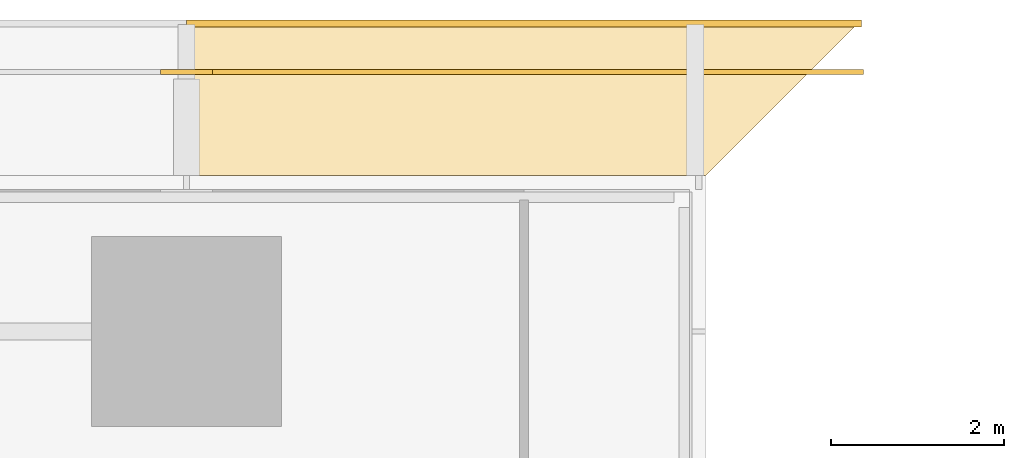
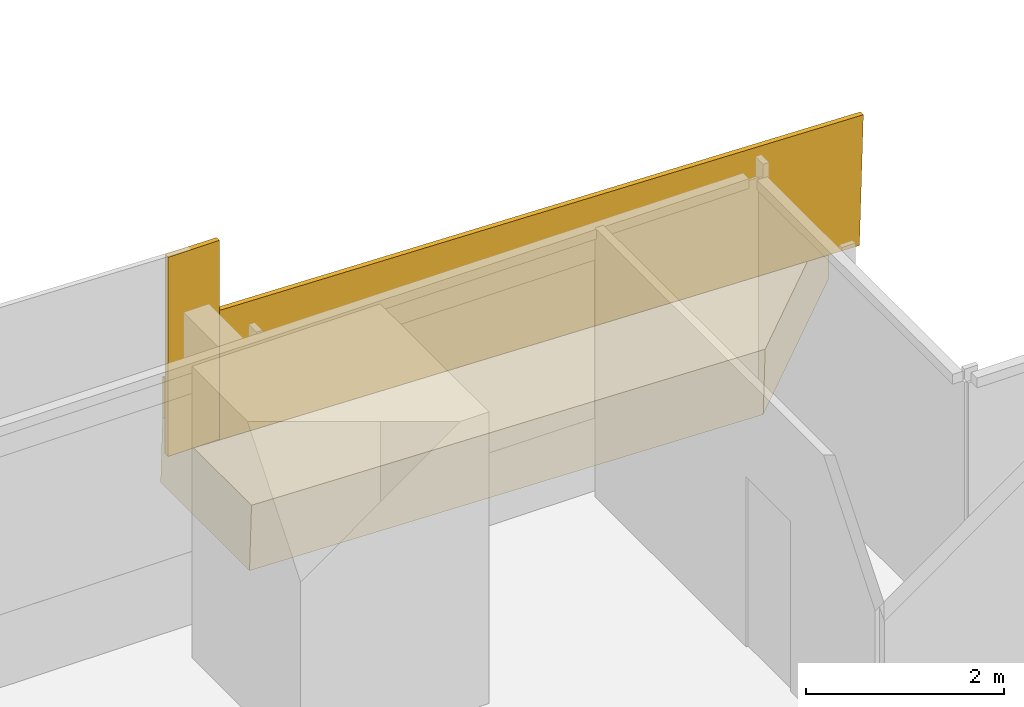
# One storey, part 30 of 30: 2 coverings, 2 railings.
"""IFC4 building model written with IfcOpenShell, lengths in metres."""

from ifc_helpers import new_model, si_unit, direction, frame, origin, origin_2d, place, context, subcontext, project, spatial, polyline, rectangle, outline, extrude, material, layer, layer_set, type_object, element, save


model = new_model("IFC4")

# Units and contexts
model_context = context("Model", 3, precision=1e-05, world=origin(), true_north=direction((0.0, 1.0)))
body_context = subcontext(model_context, "Body", "Model", "MODEL_VIEW")
ifc_project = project(units=[si_unit("LENGTHUNIT", "METRE"), si_unit("AREAUNIT", "SQUARE_METRE"), si_unit("VOLUMEUNIT", "CUBIC_METRE"), si_unit("PLANEANGLEUNIT", "RADIAN"), si_unit("MASSUNIT", "GRAM", prefix="KILO")], contexts=[model_context])

# Site, building, storey
site_placement = place(None, origin())
site = spatial("IfcSite", under=ifc_project, at=site_placement, CompositionType="ELEMENT")
building_placement = place(site_placement, origin())
building = spatial("IfcBuilding", under=site, at=building_placement, Name="Saffron Gate Tower", CompositionType="ELEMENT")
storey_placement = place(building_placement, frame((0.0, 0.0, 37.199951171875)))
storey = spatial("IfcBuildingStorey", under=building, at=storey_placement, Name="L07", CompositionType="ELEMENT", Elevation=37.199951171875)

# Coverings
ifc_material = material(Name="Timber, thermally modified ash", Category="wood")
ifc_layer_1 = layer(ifc_material, 0.800048828125)
ifc_layer_set_1 = layer_set([ifc_layer_1], Name="LD1 ledge timber")
covering_type_1 = type_object("IfcCoveringType", Name="LD1 ledge timber", PredefinedType="CLADDING", material=ifc_layer_set_1)
covering_1_placement = place(storey_placement, frame((123.0, 75.60009765625, 0.900146484375), z_axis=(0.028807146299, 3.5032058e-05, 0.99958498743), x_axis=(-0.999584988043, 3.68e-10, 0.028807146316)))
element("IfcCovering", 1, at=covering_1_placement, inside=storey, type_object=covering_type_1, Name="LEDGE", PredefinedType="CLADDING", context=body_context, shape_type="SweptSolid", body=[
    extrude(outline(polyline([(0.0, 0.0), (6.0024892885105, 0.0), (6.002489289172793, -1.7998046863955992), (-1.800799813548424, -1.799804691475862), (0.0, 0.0)])), origin(), (0.0, 0.0, -1.0), 0.800048828125),
])
ifc_layer_2 = layer(ifc_material, 0.080078125)
ifc_layer_set_2 = layer_set([ifc_layer_2], Name="LD2 ledge planter trough")
covering_type_2 = type_object("IfcCoveringType", Name="LD2 ledge planter trough", PredefinedType="CLADDING", material=ifc_layer_set_2)
covering_2_placement = place(storey_placement, frame((124.800048828125, 77.39990234375, 0.84814453125), z_axis=(0.0, 1.0, 0.0), x_axis=(-0.999584755248, 0.0, 0.028815222999)))
element("IfcCovering", 2, at=covering_2_placement, inside=storey, type_object=covering_type_2, Name="LEDGE planter trough", PredefinedType="CLADDING", context=body_context, shape_type="SweptSolid", body=[
    extrude(outline(polyline([(0.0, 0.0), (7.803289102975944, 0.0), (7.8176967144752565, 0.4997923776238338), (0.014407611499312996, 0.4997923776238338), (0.0, 0.0)])), origin(), (0.0, 0.0, -1.0), 0.080078125),
])

# Railings
railing_type = type_object("IfcRailingType", Name="LG1 ledge balustrade", PredefinedType="BALUSTRADE", material=ifc_material)
railing_1_placement = place(storey_placement, frame((124.800048828125, 76.800048828125, 0.84814453125)))
element("IfcRailing", 3, at=railing_1_placement, inside=storey, type_object=railing_type, Name="LEDGE BALUSTRADE", PredefinedType="BALUSTRADE", context=body_context, shape_type="SweptSolid", body=[
    extrude(rectangle(XDim=0.06005859375, YDim=1.60009765625, at=origin_2d()), frame((0.0, 0.0, 0.800048828125), z_axis=(-0.999584755248, 0.0, 0.028815222999), x_axis=(0.0, -1.0, 0.0)), (0.0, 0.0, 1.0), 7.80322265625),
])
railing_2_placement = place(storey_placement, frame((117.300048828125, 76.800048828125, 1.072998046875)))
element("IfcRailing", 4, at=railing_2_placement, inside=storey, type_object=railing_type, Name="LEDGE BALUSTRADE", PredefinedType="BALUSTRADE", context=body_context, shape_type="SweptSolid", body=[
    extrude(rectangle(XDim=0.06005859375, YDim=2.45751953125, at=origin_2d()), frame((0.0, 0.0, 1.228759765625), z_axis=(-1.0, 0.0, 0.0), x_axis=(0.0, -1.0, 0.0)), (0.0, 0.0, 1.0), 0.60009765625),
])

save(model, "model.ifc")
